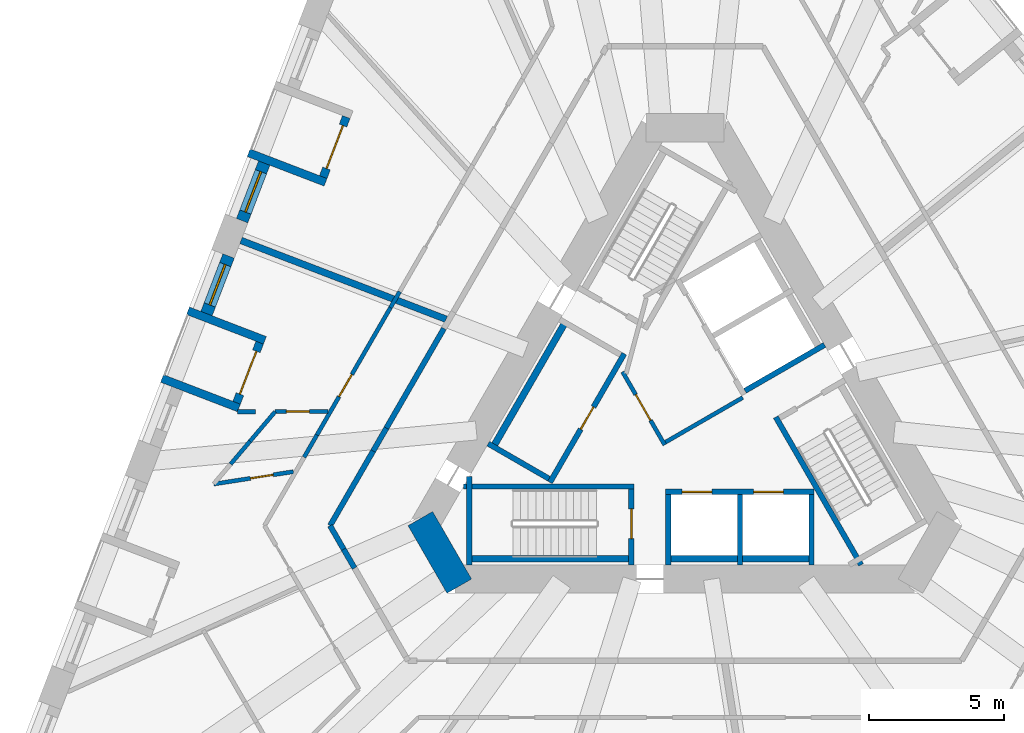
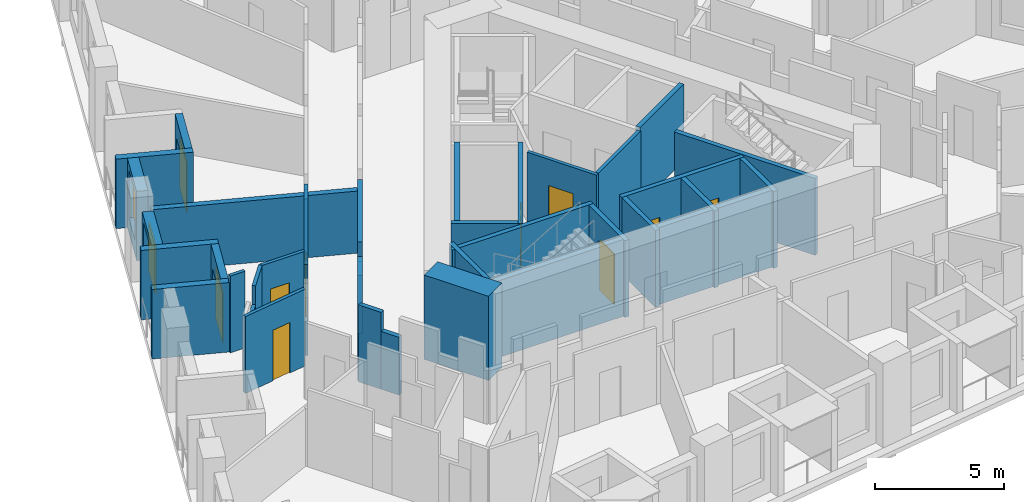
# One storey, part 4 of 14: 38 walls, 10 doors, 2 windows, 12 openings.
"""IFC4 building model written with IfcOpenShell, lengths in metres."""

from ifc_helpers import new_model, si_unit, direction, frame, frame_2d, origin, place, context, subcontext, project, spatial, rectangle, extrude, material, layer, layer_set, type_object, element, fill, save


model = new_model("IFC4")

# Units and contexts
model_context = context("Model", 3, precision=1e-05, world=origin(), true_north=direction((0.0, 1.0)))
body_context = subcontext(model_context, "Body", "Model", "MODEL_VIEW")
ifc_project = project(units=[si_unit("LENGTHUNIT", "METRE"), si_unit("AREAUNIT", "SQUARE_METRE"), si_unit("VOLUMEUNIT", "CUBIC_METRE"), si_unit("PLANEANGLEUNIT", "RADIAN"), si_unit("MASSUNIT", "GRAM", prefix="KILO")], contexts=[model_context])

# Site, building, storey
site_placement = place(None, origin())
site = spatial("IfcSite", under=ifc_project, at=site_placement, CompositionType="ELEMENT")
building_placement = place(site_placement, origin())
building = spatial("IfcBuilding", under=site, at=building_placement, Name="Tramontana Tower", CompositionType="ELEMENT")
storey_placement = place(building_placement, frame((0.0, 0.0, 59.199951171875)))
storey = spatial("IfcBuildingStorey", under=building, at=storey_placement, Name="L12", CompositionType="ELEMENT", Elevation=59.199951171875)

# Walls
ifc_material_1 = material(Name="Concrete 70 MPa", Category="concrete")
ifc_layer_1 = layer(ifc_material_1, 1.050048828125)
ifc_layer_set_1 = layer_set([ifc_layer_1], Name="Core wall 1050 70 MPa")
wall_type_1 = type_object("IfcWallType", Name="Core wall 1050 70 MPa", PredefinedType="SHEAR", material=ifc_layer_set_1)
wall_1_placement = place(storey_placement, frame((-9.793212890625, -3.987548828125, 0.0), z_axis=(0.0, 0.0, 1.0), x_axis=(0.499995765644, -0.866027848477, 0.0)))
element("IfcWall", 1, at=wall_1_placement, inside=storey, type_object=wall_type_1, Name="Core wall C2 L12", PredefinedType="SHEAR", context=body_context, shape_type="SweptSolid", body=[
    extrude(rectangle(XDim=2.88671875, YDim=1.050048828125, at=frame_2d((1.443359375, 0.0))), origin(), (0.0, 0.0, 1.0), 4.0),
])
ifc_material_2 = material(Name="Blockwork", Category="masonry")
ifc_layer_2 = layer(ifc_material_2, 0.199951171875)
ifc_layer_set_2 = layer_set([ifc_layer_2], Name="ENTRY WALL 200")
wall_type_2 = type_object("IfcWallType", Name="ENTRY WALL 200", PredefinedType="SOLIDWALL", material=ifc_layer_set_2)
wall_2_placement = place(storey_placement, frame((-12.228515625, -5.819580078125, 0.0), z_axis=(0.0, 0.0, 1.0), x_axis=(-0.499923776705, 0.866069406852, 0.0)))
element("IfcWall", 2, at=wall_2_placement, inside=storey, type_object=wall_type_2, Name="Wall v10-ew3-4", PredefinedType="SOLIDWALL", context=body_context, shape_type="SweptSolid", body=[
    extrude(rectangle(XDim=0.804931640625, YDim=0.199951171875, at=frame_2d((0.40234375, 0.0))), origin(), (0.0, 0.0, 1.0), 2.75),
])
wall_3_placement = place(storey_placement, frame((-12.630859375, -5.12255859375, 0.0), z_axis=(0.0, 0.0, 1.0), x_axis=(-0.500099969036, 0.865967678941, 0.0)))
element("IfcWall", 3, at=wall_3_placement, inside=storey, type_object=wall_type_2, Name="Wall v10-ew3-5", PredefinedType="SOLIDWALL", context=body_context, shape_type="SweptSolid", body=[
    extrude(rectangle(XDim=1.007568359375, YDim=0.199951171875, at=frame_2d((0.50390625, 0.0))), origin(), (0.0, 0.0, 1.0), 3.650146484375),
])
wall_4_placement = place(storey_placement, frame((-13.134765625, -4.25, 0.0), z_axis=(0.0, 0.0, 1.0), x_axis=(0.50003154259, 0.866007191896, 0.0)))
element("IfcWall", 4, at=wall_4_placement, inside=storey, type_object=wall_type_2, Name="Wall v10-ew4-0", PredefinedType="SOLIDWALL", context=body_context, shape_type="SweptSolid", body=[
    extrude(rectangle(XDim=3.190673828125, YDim=0.199951171875, at=frame_2d((1.59521484375, 0.0))), origin(), (0.0, 0.0, 1.0), 3.650146484375),
])
wall_5_placement = place(storey_placement, frame((-11.539306640625, -1.48681640625, 0.0), z_axis=(0.0, 0.0, 1.0), x_axis=(0.499966601515, 0.86604468555, 0.0)))
element("IfcWall", 5, at=wall_5_placement, inside=storey, type_object=wall_type_2, Name="Wall v10-ew4-1", PredefinedType="SOLIDWALL", context=body_context, shape_type="SweptSolid", body=[
    extrude(rectangle(XDim=0.98095703125, YDim=0.199951171875, at=frame_2d((0.490478515625, 0.0))), origin(), (0.0, 0.0, 1.0), 2.75),
])
wall_6_placement = place(storey_placement, frame((-11.048828125, -0.63720703125, 0.0), z_axis=(0.0, 0.0, 1.0), x_axis=(0.500000470374, 0.866025132214, 0.0)))
element("IfcWall", 6, at=wall_6_placement, inside=storey, type_object=wall_type_2, Name="Wall v10-ew4-2", PredefinedType="SOLIDWALL", context=body_context, shape_type="SweptSolid", body=[
    extrude(rectangle(XDim=4.2568359375, YDim=0.199951171875, at=frame_2d((2.12841796875, 0.0))), origin(), (0.0, 0.0, 1.0), 3.650146484375),
])

# Wall, opening, window
ifc_material_3 = material(Name="Precast concrete 60 MPa", Category="concrete")
ifc_layer_3 = layer(ifc_material_3, 0.449951171875)
ifc_layer_set_3 = layer_set([ifc_layer_3], Name="Precast concrete 60 MPa, 450 mm")
wall_type_3 = type_object("IfcWallType", Name="EW1 Stone-faced precast wall 450", PredefinedType="SOLIDWALL", material=ifc_layer_set_3)
wall_7_placement = place(storey_placement, frame((-15.572021484375, 9.1728515625, 0.0), z_axis=(0.0, 0.0, 1.0), x_axis=(-0.358355550725, -0.933585185864, 0.0)))
wall_7 = element("IfcWall", 7, at=wall_7_placement, inside=storey, type_object=wall_type_3, Name="External wall L12 face 0 bay 3", PredefinedType="SOLIDWALL", context=body_context, shape_type="SweptSolid", body=[
    extrude(rectangle(XDim=2.282958984375, YDim=0.449951171875, at=frame_2d((1.1416015625, 0.0))), origin(), (0.0, 0.0, 1.0), 3.300048828125),
])
opening_1_placement = place(wall_7_placement, frame((0.341552734375, 0.0, 0.699951171875)))
opening_1 = element("IfcOpeningElement", 8, at=opening_1_placement, cuts=wall_7, Name="Opening M1", PredefinedType="OPENING", context=body_context, shape_type="SweptSolid", body=[
    extrude(rectangle(XDim=1.60009765625, YDim=2.300048828125, at=frame_2d((0.800048828125, 1.14990234375))), frame((0.0, 0.23486328125, 0.0), z_axis=(0.0, -1.0, 0.0), x_axis=(1.0, 0.0, 0.0)), (0.0, 0.0, 1.0), 0.469970703125),
])
ifc_material_4 = material(Name="Aluminum frame, double glazing unit", Category="aluminium")
window_type = type_object("IfcWindowType", Name="M1 Window 1.6 x 2.3", PartitioningType="SINGLE_PANEL", PredefinedType="WINDOW", material=ifc_material_4)
window_1_placement = place(opening_1_placement, origin())
window_1 = element("IfcWindow", 9, at=window_1_placement, inside=storey, type_object=window_type, Name="Window M1 L12 face 0 module 9", OverallHeight=2.300048828125, OverallWidth=1.60009765625, PartitioningType="SINGLE_PANEL", PredefinedType="WINDOW", context=body_context, shape_type="SweptSolid", body=[
    extrude(rectangle(XDim=1.60009765625, YDim=2.300048828125, at=frame_2d((0.800048828125, 1.14990234375))), frame((0.0, 0.030029296875, 0.0), z_axis=(0.0, -1.0, 0.0), x_axis=(1.0, 0.0, 0.0)), (0.0, 0.0, 1.0), 0.06005859375),
])
fill(opening_1, window_1)

wall_8_placement = place(storey_placement, frame((-16.891845703125, 5.734375, 0.0), z_axis=(0.0, 0.0, 1.0), x_axis=(-0.358355550725, -0.933585185864, 0.0)))
wall_8 = element("IfcWall", 10, at=wall_8_placement, inside=storey, type_object=wall_type_3, Name="External wall L12 face 0 bay 4", PredefinedType="SOLIDWALL", context=body_context, shape_type="SweptSolid", body=[
    extrude(rectangle(XDim=2.282958984375, YDim=0.449951171875, at=frame_2d((1.1416015625, 0.0))), origin(), (0.0, 0.0, 1.0), 3.300048828125),
])
opening_2_placement = place(wall_8_placement, frame((0.341552734375, 0.0, 0.699951171875)))
opening_2 = element("IfcOpeningElement", 11, at=opening_2_placement, cuts=wall_8, Name="Opening M1", PredefinedType="OPENING", context=body_context, shape_type="SweptSolid", body=[
    extrude(rectangle(XDim=1.60009765625, YDim=2.300048828125, at=frame_2d((0.800048828125, 1.14990234375))), frame((0.0, 0.23486328125, 0.0), z_axis=(0.0, -1.0, 0.0), x_axis=(1.0, 0.0, 0.0)), (0.0, 0.0, 1.0), 0.469970703125),
])
window_2_placement = place(opening_2_placement, origin())
window_2 = element("IfcWindow", 12, at=window_2_placement, inside=storey, type_object=window_type, Name="Window M1 L12 face 0 module 10", OverallHeight=2.300048828125, OverallWidth=1.60009765625, PartitioningType="SINGLE_PANEL", PredefinedType="WINDOW", context=body_context, shape_type="SweptSolid", body=[
    extrude(rectangle(XDim=1.60009765625, YDim=2.300048828125, at=frame_2d((0.800048828125, 1.14990234375))), frame((0.0, 0.030029296875, 0.0), z_axis=(0.0, -1.0, 0.0), x_axis=(1.0, 0.0, 0.0)), (0.0, 0.0, 1.0), 0.06005859375),
])
fill(opening_2, window_2)

# Wall, opening, door
ifc_material_5 = material(Name="Precast concrete 60 MPa", Category="concrete")
ifc_layer_4 = layer(ifc_material_5, 0.300048828125)
ifc_layer_set_4 = layer_set([ifc_layer_4], Name="LW1 Stone-faced loggia wall 300")
wall_type_4 = type_object("IfcWallType", Name="LW1 Stone-faced loggia wall 300", PredefinedType="SOLIDWALL", material=ifc_layer_set_4)
wall_9_placement = place(storey_placement, frame((-12.533447265625, 10.880126953125, 0.0), z_axis=(0.0, 0.0, 1.0), x_axis=(-0.35838856932, -0.933572511046, 0.0)))
wall_9 = element("IfcWall", 13, at=wall_9_placement, inside=storey, type_object=wall_type_4, Name="Loggia wall L12 G1S0.7", PredefinedType="SOLIDWALL", context=body_context, shape_type="SweptSolid", body=[
    extrude(rectangle(XDim=2.3828125, YDim=0.300048828125, at=frame_2d((1.19140625, 0.0))), origin(), (0.0, 0.0, 1.0), 3.300048828125),
])
opening_3_placement = place(wall_9_placement, frame((0.341552734375, 0.0, 0.0)))
opening_3 = element("IfcOpeningElement", 14, at=opening_3_placement, cuts=wall_9, Name="Opening BD-1S0-07", PredefinedType="OPENING", context=body_context, shape_type="SweptSolid", body=[
    extrude(rectangle(XDim=1.699951171875, YDim=2.39990234375, at=frame_2d((0.85009765625, 1.199951171875))), frame((0.0, 0.159912109375, 0.0), z_axis=(0.0, -1.0, 0.0), x_axis=(1.0, 0.0, 0.0)), (0.0, 0.0, 1.0), 0.320068359375),
])
ifc_material_6 = material(Name="Aluminum frame, double glazing unit", Category="aluminium")
door_type_1 = type_object("IfcDoorType", Name="BD1 Sliding door 1.7 x 2.4", OperationType="SLIDING_TO_LEFT", PredefinedType="DOOR", material=ifc_material_6)
door_1_placement = place(opening_3_placement, origin())
door_1 = element("IfcDoor", 15, at=door_1_placement, inside=storey, type_object=door_type_1, Name="Loggia door L12 G1S0.7", OperationType="SLIDING_TO_LEFT", OverallHeight=2.39990234375, OverallWidth=1.699951171875, PredefinedType="DOOR", context=body_context, shape_type="SweptSolid", body=[
    extrude(rectangle(XDim=1.699951171875, YDim=2.39990234375, at=frame_2d((0.85009765625, 1.199951171875))), frame((0.0, 0.02490234375, 0.0), z_axis=(0.0, -1.0, 0.0), x_axis=(1.0, 0.0, 0.0)), (0.0, 0.0, 1.0), 0.050048828125),
])
fill(opening_3, door_1)

# Wall
wall_10_placement = place(storey_placement, frame((-16.1484375, 9.5546875, 0.0), z_axis=(0.0, 0.0, 1.0), x_axis=(0.933580593625, -0.358367514161, 0.0)))
element("IfcWall", 16, at=wall_10_placement, inside=storey, type_object=wall_type_4, Name="Loggia return L12 G1S0.7b", PredefinedType="SOLIDWALL", context=body_context, shape_type="SweptSolid", body=[
    extrude(rectangle(XDim=3.050048828125, YDim=0.300048828125, at=frame_2d((1.52490234375, 0.0))), origin(), (0.0, 0.0, 1.0), 3.300048828125),
])

# Wall, opening, door
wall_11_placement = place(storey_placement, frame((-15.740478515625, 2.525634765625, 0.0), z_axis=(0.0, 0.0, 1.0), x_axis=(-0.35829926872, -0.933606787697, 0.0)))
wall_11 = element("IfcWall", 17, at=wall_11_placement, inside=storey, type_object=wall_type_4, Name="Loggia wall L12 G1S0.10", PredefinedType="SOLIDWALL", context=body_context, shape_type="SweptSolid", body=[
    extrude(rectangle(XDim=2.3828125, YDim=0.300048828125, at=frame_2d((1.19140625, 0.0))), origin(), (0.0, 0.0, 1.0), 3.300048828125),
])
opening_4_placement = place(wall_11_placement, frame((0.341552734375, 0.0, 0.0)))
opening_4 = element("IfcOpeningElement", 18, at=opening_4_placement, cuts=wall_11, Name="Opening BD-1S0-10", PredefinedType="OPENING", context=body_context, shape_type="SweptSolid", body=[
    extrude(rectangle(XDim=1.699951171875, YDim=2.39990234375, at=frame_2d((0.85009765625, 1.199951171875))), frame((0.0, 0.159912109375, 0.0), z_axis=(0.0, -1.0, 0.0), x_axis=(1.0, 0.0, 0.0)), (0.0, 0.0, 1.0), 0.320068359375),
])
door_2_placement = place(opening_4_placement, origin())
door_2 = element("IfcDoor", 19, at=door_2_placement, inside=storey, type_object=door_type_1, Name="Loggia door L12 G1S0.10", OperationType="SLIDING_TO_LEFT", OverallHeight=2.39990234375, OverallWidth=1.699951171875, PredefinedType="DOOR", context=body_context, shape_type="SweptSolid", body=[
    extrude(rectangle(XDim=1.699951171875, YDim=2.39990234375, at=frame_2d((0.85009765625, 1.199951171875))), frame((0.0, 0.02490234375, 0.0), z_axis=(0.0, -1.0, 0.0), x_axis=(1.0, 0.0, 0.0)), (0.0, 0.0, 1.0), 0.050048828125),
])
fill(opening_4, door_2)

# Walls
for number, where, z_axis, x_axis, name in (
    (20, (-18.39404296875, 3.704833984375, 0.0), (0.0, 0.0, 1.0), (0.933580593625, -0.358367514161, 0.0), "Loggia return L12 G1S0.10a"),
    (21, (-19.35546875, 1.2001953125, 0.0), (0.0, 0.0, 1.0), (0.933580593625, -0.358367514161, 0.0), "Loggia return L12 G1S0.10b"),
):
    element("IfcWall", number, at=place(storey_placement, frame(where, z_axis=z_axis, x_axis=x_axis)), inside=storey, type_object=wall_type_4, Name=name, PredefinedType="SOLIDWALL", context=body_context, shape_type="SweptSolid", body=[
        extrude(rectangle(XDim=3.050048828125, YDim=0.300048828125, at=frame_2d((1.52490234375, 0.0))), origin(), (0.0, 0.0, 1.0), 3.300048828125),
    ])

# Wall, opening, door
ifc_material_7 = material(Name="Gypsum board partition")
ifc_layer_5 = layer(ifc_material_7, 0.14990234375)
ifc_layer_set_5 = layer_set([ifc_layer_5], Name="PARTITION 150")
wall_type_5 = type_object("IfcWallType", Name="PARTITION 150", PredefinedType="PARTITIONING", material=ifc_layer_set_5)
wall_12_placement = place(storey_placement, frame((-0.744140625, -1.260986328125, 0.0), z_axis=(0.0, 0.0, 1.0), x_axis=(-0.500004234368, 0.866022959057, 0.0)))
wall_12 = element("IfcWall", 22, at=wall_12_placement, inside=storey, type_object=wall_type_5, Name="Wall ff-front", PredefinedType="PARTITIONING", context=body_context, shape_type="SweptSolid", body=[
    extrude(rectangle(XDim=3.125, YDim=0.14990234375, at=frame_2d((1.5625, 0.0))), origin(), (0.0, 0.0, 1.0), 3.650146484375),
])
opening_5_placement = place(wall_12_placement, frame((1.050048828125, 0.0, 0.0)))
opening_5 = element("IfcOpeningElement", 23, at=opening_5_placement, cuts=wall_12, Name="Opening FD1", PredefinedType="OPENING", context=body_context, shape_type="SweptSolid", body=[
    extrude(rectangle(XDim=1.10009765625, YDim=2.39990234375, at=frame_2d((0.550048828125, 1.199951171875))), frame((0.0, 0.0849609375, 0.0), z_axis=(0.0, -1.0, 0.0), x_axis=(1.0, 0.0, 0.0)), (0.0, 0.0, 1.0), 0.169921875),
])
ifc_material_8 = material(Name="Painted timber", Category="wood")
door_type_2 = type_object("IfcDoorType", Name="DOOR ENTRY 1100", OperationType="SINGLE_SWING_LEFT", PredefinedType="DOOR", material=ifc_material_8)
door_3_placement = place(opening_5_placement, origin())
door_3 = element("IfcDoor", 24, at=door_3_placement, inside=storey, type_object=door_type_2, Name="Door FD1", OperationType="SINGLE_SWING_RIGHT", OverallHeight=2.39990234375, OverallWidth=1.10009765625, PredefinedType="DOOR", context=body_context, shape_type="SweptSolid", body=[
    extrude(rectangle(XDim=1.10009765625, YDim=2.39990234375, at=frame_2d((0.550048828125, 1.199951171875))), frame((0.0, 0.02490234375, 0.0), z_axis=(0.0, -1.0, 0.0), x_axis=(1.0, 0.0, 0.0)), (0.0, 0.0, 1.0), 0.050048828125),
])
fill(opening_5, door_3)

# Walls
wall_13_placement = place(storey_placement, frame((-0.716796875, -1.15869140625, 0.0), z_axis=(0.0, 0.0, 1.0), x_axis=(0.866008176907, 0.50002983664, 0.0)))
element("IfcWall", 25, at=wall_13_placement, inside=storey, type_object=wall_type_5, Name="Wall ff-end0", PredefinedType="PARTITIONING", context=body_context, shape_type="SweptSolid", body=[
    extrude(rectangle(XDim=3.300048828125, YDim=0.14990234375, at=frame_2d((1.64990234375, 0.0))), origin(), (0.0, 0.0, 1.0), 3.650146484375),
])
wall_14_placement = place(storey_placement, frame((-16.8154296875, -1.97021484375, 0.0), z_axis=(0.0, 0.0, 1.0), x_axis=(0.647233233989, 0.762292031193, 0.0)))
element("IfcWall", 26, at=wall_14_placement, inside=storey, type_object=wall_type_5, Name="Wall v10-pw01-1", PredefinedType="PARTITIONING", context=body_context, shape_type="SweptSolid", body=[
    extrude(rectangle(XDim=1.10986328125, YDim=0.14990234375, at=frame_2d((0.554931640625, 0.0))), origin(), (0.0, 0.0, 1.0), 2.75),
])
wall_15_placement = place(storey_placement, frame((-16.09716796875, -1.124267578125, 0.0), z_axis=(0.0, 0.0, 1.0), x_axis=(0.647268122874, 0.762262406991, 0.0)))
element("IfcWall", 27, at=wall_15_placement, inside=storey, type_object=wall_type_5, Name="Wall v10-pw01-2", PredefinedType="PARTITIONING", context=body_context, shape_type="SweptSolid", body=[
    extrude(rectangle(XDim=1.435302734375, YDim=0.14990234375, at=frame_2d((0.7177734375, 0.0))), origin(), (0.0, 0.0, 1.0), 3.650146484375),
])

# Wall, opening, door
wall_16_placement = place(storey_placement, frame((-17.434814453125, -2.707763671875, 0.0), z_axis=(0.0, 0.0, 1.0), x_axis=(0.988146894604, 0.153511285203, 0.0)))
wall_16 = element("IfcWall", 28, at=wall_16_placement, inside=storey, type_object=wall_type_5, Name="Wall v10-pw02", PredefinedType="PARTITIONING", context=body_context, shape_type="SweptSolid", body=[
    extrude(rectangle(XDim=2.977294921875, YDim=0.14990234375, at=frame_2d((1.48876953125, 0.0))), origin(), (0.0, 0.0, 1.0), 3.650146484375),
])
opening_6_placement = place(wall_16_placement, frame((1.3701171875, 0.0, 0.0)))
opening_6 = element("IfcOpeningElement", 29, at=opening_6_placement, cuts=wall_16, Name="Opening B1A-17", PredefinedType="OPENING", context=body_context, shape_type="SweptSolid", body=[
    extrude(rectangle(XDim=0.85009765625, YDim=2.39990234375, at=frame_2d((0.425048828125, 1.199951171875))), frame((0.0, 0.0849609375, 0.0), z_axis=(0.0, -1.0, 0.0), x_axis=(1.0, 0.0, 0.0)), (0.0, 0.0, 1.0), 0.169921875),
])
ifc_material_9 = material(Name="Painted timber", Category="wood")
door_type_3 = type_object("IfcDoorType", Name="DOOR BATH 850", OperationType="SINGLE_SWING_LEFT", PredefinedType="DOOR", material=ifc_material_9)
door_4_placement = place(opening_6_placement, origin())
door_4 = element("IfcDoor", 30, at=door_4_placement, inside=storey, type_object=door_type_3, Name="Door B1A-17", OperationType="SINGLE_SWING_LEFT", OverallHeight=2.39990234375, OverallWidth=0.85009765625, PredefinedType="DOOR", context=body_context, shape_type="SweptSolid", body=[
    extrude(rectangle(XDim=0.85009765625, YDim=2.39990234375, at=frame_2d((0.425048828125, 1.199951171875))), frame((0.0, 0.02490234375, 0.0), z_axis=(0.0, -1.0, 0.0), x_axis=(1.0, 0.0, 0.0)), (0.0, 0.0, 1.0), 0.050048828125),
])
fill(opening_6, door_4)

# Wall
wall_17_placement = place(storey_placement, frame((-16.561767578125, -0.032958984375, 0.0), z_axis=(0.0, 0.0, 1.0), x_axis=(0.999997583071, 0.002198602235, 0.0)))
element("IfcWall", 31, at=wall_17_placement, inside=storey, type_object=wall_type_5, Name="Wall v10-pw03", PredefinedType="PARTITIONING", context=body_context, shape_type="SweptSolid", body=[
    extrude(rectangle(XDim=0.666259765625, YDim=0.14990234375, at=frame_2d((0.3330078125, 0.0))), origin(), (0.0, 0.0, 1.0), 3.650146484375),
])

# Wall, opening, door
wall_18_placement = place(storey_placement, frame((-13.207763671875, -0.0263671875, 0.0), z_axis=(0.0, 0.0, 1.0), x_axis=(-0.999998014427, -0.00199277223, 0.0)))
wall_18 = element("IfcWall", 32, at=wall_18_placement, inside=storey, type_object=wall_type_5, Name="Wall v10-pw04", PredefinedType="PARTITIONING", context=body_context, shape_type="SweptSolid", body=[
    extrude(rectangle(XDim=1.960205078125, YDim=0.14990234375, at=frame_2d((0.97998046875, 0.0))), origin(), (0.0, 0.0, 1.0), 3.650146484375),
])
opening_7_placement = place(wall_18_placement, frame((0.6904296875, 0.0, 0.0)))
opening_7 = element("IfcOpeningElement", 33, at=opening_7_placement, cuts=wall_18, Name="Opening B1A-18", PredefinedType="OPENING", context=body_context, shape_type="SweptSolid", body=[
    extrude(rectangle(XDim=0.85009765625, YDim=2.39990234375, at=frame_2d((0.425048828125, 1.199951171875))), frame((0.0, 0.0849609375, 0.0), z_axis=(0.0, -1.0, 0.0), x_axis=(1.0, 0.0, 0.0)), (0.0, 0.0, 1.0), 0.169921875),
])
door_5_placement = place(opening_7_placement, origin())
door_5 = element("IfcDoor", 34, at=door_5_placement, inside=storey, type_object=door_type_3, Name="Door B1A-18", OperationType="SINGLE_SWING_RIGHT", OverallHeight=2.39990234375, OverallWidth=0.85009765625, PredefinedType="DOOR", context=body_context, shape_type="SweptSolid", body=[
    extrude(rectangle(XDim=0.85009765625, YDim=2.39990234375, at=frame_2d((0.425048828125, 1.199951171875))), frame((0.0, 0.02490234375, 0.0), z_axis=(0.0, -1.0, 0.0), x_axis=(1.0, 0.0, 0.0)), (0.0, 0.0, 1.0), 0.050048828125),
])
fill(opening_7, door_5)

# Wall
wall_19_placement = place(storey_placement, frame((-10.557373046875, 4.4140625, 0.0), z_axis=(0.0, 0.0, 1.0), x_axis=(-0.500134748329, -0.865947592822, 0.0)))
element("IfcWall", 35, at=wall_19_placement, inside=storey, type_object=wall_type_5, Name="Wall v10-pw16-5", PredefinedType="PARTITIONING", context=body_context, shape_type="SweptSolid", body=[
    extrude(rectangle(XDim=0.683349609375, YDim=0.14990234375, at=frame_2d((0.341796875, 0.0))), origin(), (0.0, 0.0, 1.0), 2.949951171875),
])

# Wall, opening, door
wall_20_placement = place(storey_placement, frame((-13.62060546875, -0.8916015625, 0.0), z_axis=(0.0, 0.0, 1.0), x_axis=(0.499983886315, 0.866034706825, 0.0)))
wall_20 = element("IfcWall", 36, at=wall_20_placement, inside=storey, type_object=wall_type_5, Name="Wall v10-pw16-6", PredefinedType="PARTITIONING", context=body_context, shape_type="SweptSolid", body=[
    extrude(rectangle(XDim=5.443115234375, YDim=0.14990234375, at=frame_2d((2.7216796875, 0.0))), origin(), (0.0, 0.0, 1.0), 3.650146484375),
])
opening_8_placement = place(wall_20_placement, frame((1.639404296875, 0.0, 0.0)))
opening_8 = element("IfcOpeningElement", 37, at=opening_8_placement, cuts=wall_20, Name="Opening B1A-14", PredefinedType="OPENING", context=body_context, shape_type="SweptSolid", body=[
    extrude(rectangle(XDim=0.949951171875, YDim=2.39990234375, at=frame_2d((0.47509765625, 1.199951171875))), frame((0.0, 0.0849609375, 0.0), z_axis=(0.0, -1.0, 0.0), x_axis=(1.0, 0.0, 0.0)), (0.0, 0.0, 1.0), 0.169921875),
])
ifc_material_10 = material(Name="Painted timber", Category="wood")
door_type_4 = type_object("IfcDoorType", Name="DOOR ROOM 950", OperationType="SINGLE_SWING_LEFT", PredefinedType="DOOR", material=ifc_material_10)
door_6_placement = place(opening_8_placement, origin())
door_6 = element("IfcDoor", 38, at=door_6_placement, inside=storey, type_object=door_type_4, Name="Door B1A-14", OperationType="SINGLE_SWING_RIGHT", OverallHeight=2.39990234375, OverallWidth=0.949951171875, PredefinedType="DOOR", context=body_context, shape_type="SweptSolid", body=[
    extrude(rectangle(XDim=0.949951171875, YDim=2.39990234375, at=frame_2d((0.47509765625, 1.199951171875))), frame((0.0, 0.02490234375, 0.0), z_axis=(0.0, -1.0, 0.0), x_axis=(1.0, 0.0, 0.0)), (0.0, 0.0, 1.0), 0.050048828125),
])
fill(opening_8, door_6)

# Walls
wall_21_placement = place(storey_placement, frame((-13.62060546875, -0.8916015625, 0.0), z_axis=(0.0, 0.0, 1.0), x_axis=(-0.499952260202, -0.866052964615, 0.0)))
element("IfcWall", 39, at=wall_21_placement, inside=storey, type_object=wall_type_5, Name="Wall v10-pw16-7", PredefinedType="PARTITIONING", context=body_context, shape_type="SweptSolid", body=[
    extrude(rectangle(XDim=0.9501953125, YDim=0.14990234375, at=frame_2d((0.47509765625, 0.0))), origin(), (0.0, 0.0, 1.0), 2.75),
])
ifc_material_11 = material(Name="Blockwork", Category="masonry")
ifc_layer_6 = layer(ifc_material_11, 0.25)
ifc_layer_set_6 = layer_set([ifc_layer_6], Name="PARTY WALL 250")
wall_type_6 = type_object("IfcWallType", Name="PARTY WALL 250", PredefinedType="SOLIDWALL", material=ifc_layer_set_6)
wall_22_placement = place(storey_placement, frame((-8.837890625, 3.392578125, 0.0), z_axis=(0.0, 0.0, 1.0), x_axis=(-0.933575960916, 0.358379582566, 0.0)))
element("IfcWall", 40, at=wall_22_placement, inside=storey, type_object=wall_type_6, Name="Wall v10-pw10-0", PredefinedType="SOLIDWALL", context=body_context, shape_type="SweptSolid", body=[
    extrude(rectangle(XDim=8.13330078125, YDim=0.25, at=frame_2d((4.066650390625, 0.0))), origin(), (0.0, 0.0, 1.0), 2.949951171875),
])
ifc_material_12 = material(Name="Concrete 70 MPa", Category="concrete")
ifc_layer_7 = layer(ifc_material_12, 0.25)
ifc_layer_set_7 = layer_set([ifc_layer_7], Name="Concrete 70 MPa, 250 mm")
wall_type_7 = type_object("IfcWallType", Name="RC SHAFT BACK WALL 250", PredefinedType="SOLIDWALL", material=ifc_layer_set_7)
wall_23_placement = place(storey_placement, frame((-8.080078125, -5.47509765625, 0.0), z_axis=(0.0, 0.0, 1.0), x_axis=(1.0, 0.0, 0.0)))
element("IfcWall", 41, at=wall_23_placement, inside=storey, type_object=wall_type_7, Name="Wall st2-back", PredefinedType="SOLIDWALL", context=body_context, shape_type="SweptSolid", body=[
    extrude(rectangle(XDim=6.2001953125, YDim=0.25, at=frame_2d((3.10009765625, 0.0))), origin(), (0.0, 0.0, 1.0), 3.650146484375),
])
wall_24_placement = place(storey_placement, frame((-4.386474609375, 3.352294921875, 0.0), z_axis=(0.0, 0.0, 1.0), x_axis=(-0.500015767406, -0.866016300277, 0.0)))
element("IfcWall", 42, at=wall_24_placement, inside=storey, type_object=wall_type_7, Name="Wall row0-back", PredefinedType="SOLIDWALL", context=body_context, shape_type="SweptSolid", body=[
    extrude(rectangle(XDim=5.499755859375, YDim=0.25, at=frame_2d((2.75, 0.0))), origin(), (0.0, 0.0, 1.0), 3.650146484375),
])
wall_25_placement = place(storey_placement, frame((-0.7099609375, -5.47509765625, 0.0), z_axis=(0.0, 0.0, 1.0), x_axis=(1.0, 0.0, 0.0)))
element("IfcWall", 43, at=wall_25_placement, inside=storey, type_object=wall_type_7, Name="Wall row1-back", PredefinedType="SOLIDWALL", context=body_context, shape_type="SweptSolid", body=[
    extrude(rectangle(XDim=5.5, YDim=0.25, at=frame_2d((2.75, 0.0))), origin(), (0.0, 0.0, 1.0), 3.650146484375),
])
ifc_material_13 = material(Name="Concrete 70 MPa", Category="concrete")
ifc_layer_8 = layer(ifc_material_13, 0.199951171875)
ifc_layer_set_8 = layer_set([ifc_layer_8], Name="Concrete 70 MPa, 200 mm")
wall_type_8 = type_object("IfcWallType", Name="RC STAIR AND SHAFT WALL 200", PredefinedType="SOLIDWALL", material=ifc_layer_set_8)
wall_26_placement = place(storey_placement, frame((-8.198486328125, -2.800048828125, 0.0), z_axis=(0.0, 0.0, 1.0), x_axis=(1.0, 0.0, 0.0)))
element("IfcWall", 44, at=wall_26_placement, inside=storey, type_object=wall_type_8, Name="Wall st2-front", PredefinedType="SOLIDWALL", context=body_context, shape_type="SweptSolid", body=[
    extrude(rectangle(XDim=6.318603515625, YDim=0.199951171875, at=frame_2d((3.1591796875, 0.0))), origin(), (0.0, 0.0, 1.0), 3.650146484375),
])
wall_27_placement = place(storey_placement, frame((-7.97998046875, -2.421875, 0.0), z_axis=(0.0, 0.0, 1.0), x_axis=(0.0, -1.0, 0.0)))
element("IfcWall", 45, at=wall_27_placement, inside=storey, type_object=wall_type_8, Name="Wall st2-far", PredefinedType="SOLIDWALL", context=body_context, shape_type="SweptSolid", body=[
    extrude(rectangle(XDim=3.278076171875, YDim=0.199951171875, at=frame_2d((1.63916015625, 0.0))), origin(), (0.0, 0.0, 1.0), 3.650146484375),
])

# Wall, opening, door
wall_28_placement = place(storey_placement, frame((-1.97998046875, -2.89990234375, 0.0), z_axis=(0.0, 0.0, 1.0), x_axis=(0.0, -1.0, 0.0)))
wall_28 = element("IfcWall", 46, at=wall_28_placement, inside=storey, type_object=wall_type_8, Name="Wall st2-near", PredefinedType="SOLIDWALL", context=body_context, shape_type="SweptSolid", body=[
    extrude(rectangle(XDim=2.800048828125, YDim=0.199951171875, at=frame_2d((1.39990234375, 0.0))), origin(), (0.0, 0.0, 1.0), 3.650146484375),
])
opening_9_placement = place(wall_28_placement, frame((0.72509765625, 0.0, 0.0)))
opening_9 = element("IfcOpeningElement", 47, at=opening_9_placement, cuts=wall_28, Name="Opening SD2", PredefinedType="OPENING", context=body_context, shape_type="SweptSolid", body=[
    extrude(rectangle(XDim=1.10009765625, YDim=2.39990234375, at=frame_2d((0.550048828125, 1.199951171875))), frame((0.0, 0.10986328125, 0.0), z_axis=(0.0, -1.0, 0.0), x_axis=(1.0, 0.0, 0.0)), (0.0, 0.0, 1.0), 0.219970703125),
])
ifc_material_14 = material(Name="Painted steel", Category="steel")
door_type_5 = type_object("IfcDoorType", Name="STAIR DOOR 1100", OperationType="SINGLE_SWING_LEFT", PredefinedType="DOOR", material=ifc_material_14)
door_7_placement = place(opening_9_placement, origin())
door_7 = element("IfcDoor", 48, at=door_7_placement, inside=storey, type_object=door_type_5, Name="Door SD2", OperationType="SINGLE_SWING_LEFT", OverallHeight=2.39990234375, OverallWidth=1.10009765625, PredefinedType="DOOR", context=body_context, shape_type="SweptSolid", body=[
    extrude(rectangle(XDim=1.10009765625, YDim=2.39990234375, at=frame_2d((0.550048828125, 1.199951171875))), frame((0.0, 0.02490234375, 0.0), z_axis=(0.0, -1.0, 0.0), x_axis=(1.0, 0.0, 0.0)), (0.0, 0.0, 1.0), 0.050048828125),
])
fill(opening_9, door_7)

# Wall
wall_29_placement = place(storey_placement, frame((6.524169921875, -5.699951171875, 0.0), z_axis=(0.0, 0.0, 1.0), x_axis=(-0.499995607161, 0.866027939976, 0.0)))
element("IfcWall", 49, at=wall_29_placement, inside=storey, type_object=wall_type_8, Name="Wall st3-front", PredefinedType="SOLIDWALL", context=body_context, shape_type="SweptSolid", body=[
    extrude(rectangle(XDim=6.318359375, YDim=0.199951171875, at=frame_2d((3.1591796875, 0.0))), origin(), (0.0, 0.0, 1.0), 3.650146484375),
])

# Wall, opening, door
wall_30_placement = place(storey_placement, frame((-4.9931640625, -2.648193359375, 0.0), z_axis=(0.0, 0.0, 1.0), x_axis=(0.499996545922, 0.866027397988, 0.0)))
wall_30 = element("IfcWall", 50, at=wall_30_placement, inside=storey, type_object=wall_type_8, Name="Wall row0-front", PredefinedType="SOLIDWALL", context=body_context, shape_type="SweptSolid", body=[
    extrude(rectangle(XDim=5.5, YDim=0.199951171875, at=frame_2d((2.75, 0.0))), origin(), (0.0, 0.0, 1.0), 3.650146484375),
])
opening_10_placement = place(wall_30_placement, frame((2.27490234375, 0.0, 0.0)))
opening_10 = element("IfcOpeningElement", 51, at=opening_10_placement, cuts=wall_30, Name="Opening RD-0", PredefinedType="OPENING", context=body_context, shape_type="SweptSolid", body=[
    extrude(rectangle(XDim=0.949951171875, YDim=2.39990234375, at=frame_2d((0.47509765625, 1.199951171875))), frame((0.0, 0.10986328125, 0.0), z_axis=(0.0, -1.0, 0.0), x_axis=(1.0, 0.0, 0.0)), (0.0, 0.0, 1.0), 0.219970703125),
])
door_8_placement = place(opening_10_placement, origin())
door_8 = element("IfcDoor", 52, at=door_8_placement, inside=storey, type_object=door_type_4, Name="Door RD-0", OperationType="SINGLE_SWING_LEFT", OverallHeight=2.39990234375, OverallWidth=0.949951171875, PredefinedType="DOOR", context=body_context, shape_type="SweptSolid", body=[
    extrude(rectangle(XDim=0.949951171875, YDim=2.39990234375, at=frame_2d((0.47509765625, 1.199951171875))), frame((0.0, 0.02490234375, 0.0), z_axis=(0.0, -1.0, 0.0), x_axis=(1.0, 0.0, 0.0)), (0.0, 0.0, 1.0), 0.050048828125),
])
fill(opening_10, door_8)

# Wall
wall_31_placement = place(storey_placement, frame((-5.02978515625, -2.51171875, 0.0), z_axis=(0.0, 0.0, 1.0), x_axis=(-0.865997922154, 0.500047596559, 0.0)))
element("IfcWall", 53, at=wall_31_placement, inside=storey, type_object=wall_type_8, Name="Wall row0-side2", PredefinedType="SOLIDWALL", context=body_context, shape_type="SweptSolid", body=[
    extrude(rectangle(XDim=2.599853515625, YDim=0.199951171875, at=frame_2d((1.2998046875, 0.0))), origin(), (0.0, 0.0, 1.0), 3.650146484375),
])

# Wall, openings, doors
wall_32_placement = place(storey_placement, frame((-0.7099609375, -3.0, 0.0), z_axis=(0.0, 0.0, 1.0), x_axis=(1.0, 0.0, 0.0)))
wall_32 = element("IfcWall", 54, at=wall_32_placement, inside=storey, type_object=wall_type_8, Name="Wall row1-front", PredefinedType="SOLIDWALL", context=body_context, shape_type="SweptSolid", body=[
    extrude(rectangle(XDim=5.5, YDim=0.199951171875, at=frame_2d((2.75, 0.0))), origin(), (0.0, 0.0, 1.0), 3.650146484375),
])
opening_11_placement = place(wall_32_placement, frame((0.610107421875, 0.0, 0.0)))
opening_11 = element("IfcOpeningElement", 55, at=opening_11_placement, cuts=wall_32, Name="Opening LD-S1", PredefinedType="OPENING", context=body_context, shape_type="SweptSolid", body=[
    extrude(rectangle(XDim=1.10009765625, YDim=2.10009765625, at=frame_2d((0.550048828125, 1.050048828125))), frame((0.0, 0.10986328125, 0.0), z_axis=(0.0, -1.0, 0.0), x_axis=(1.0, 0.0, 0.0)), (0.0, 0.0, 1.0), 0.219970703125),
])
opening_12_placement = place(wall_32_placement, frame((3.260009765625, 0.0, 0.0)))
opening_12 = element("IfcOpeningElement", 56, at=opening_12_placement, cuts=wall_32, Name="Opening LD-S2", PredefinedType="OPENING", context=body_context, shape_type="SweptSolid", body=[
    extrude(rectangle(XDim=1.10009765625, YDim=2.10009765625, at=frame_2d((0.550048828125, 1.050048828125))), frame((0.0, 0.10986328125, 0.0), z_axis=(0.0, -1.0, 0.0), x_axis=(1.0, 0.0, 0.0)), (0.0, 0.0, 1.0), 0.219970703125),
])
ifc_material_15 = material(Name="Brushed steel", Category="steel")
door_type_6 = type_object("IfcDoorType", Name="LANDING DOOR 1100", OperationType="SINGLE_SWING_LEFT", PredefinedType="DOOR", material=ifc_material_15)
door_9_placement = place(opening_11_placement, origin())
door_9 = element("IfcDoor", 57, at=door_9_placement, inside=storey, type_object=door_type_6, Name="Door LD-S1", OperationType="SLIDING_TO_RIGHT", OverallHeight=2.10009765625, OverallWidth=1.10009765625, PredefinedType="DOOR", context=body_context, shape_type="SweptSolid", body=[
    extrude(rectangle(XDim=1.10009765625, YDim=2.10009765625, at=frame_2d((0.550048828125, 1.050048828125))), frame((0.0, 0.02490234375, 0.0), z_axis=(0.0, -1.0, 0.0), x_axis=(1.0, 0.0, 0.0)), (0.0, 0.0, 1.0), 0.050048828125),
])
fill(opening_11, door_9)
door_10_placement = place(opening_12_placement, origin())
door_10 = element("IfcDoor", 58, at=door_10_placement, inside=storey, type_object=door_type_6, Name="Door LD-S2", OperationType="SLIDING_TO_LEFT", OverallHeight=2.10009765625, OverallWidth=1.10009765625, PredefinedType="DOOR", context=body_context, shape_type="SweptSolid", body=[
    extrude(rectangle(XDim=1.10009765625, YDim=2.10009765625, at=frame_2d((0.550048828125, 1.050048828125))), frame((0.0, 0.02490234375, 0.0), z_axis=(0.0, -1.0, 0.0), x_axis=(1.0, 0.0, 0.0)), (0.0, 0.0, 1.0), 0.050048828125),
])
fill(opening_12, door_10)

# Walls
for number, where, z_axis, x_axis, name in (
    (59, (-0.610107421875, -3.10009765625, 0.0), (0.0, 0.0, 1.0), (0.0, -1.0, 0.0), "Wall row1-side0"),
    (60, (2.0400390625, -3.10009765625, 0.0), (0.0, 0.0, 1.0), (0.0, -1.0, 0.0), "Wall row1-side1"),
    (61, (4.68994140625, -3.10009765625, 0.0), (0.0, 0.0, 1.0), (0.0, -1.0, 0.0), "Wall row1-side2"),
):
    element("IfcWall", number, at=place(storey_placement, frame(where, z_axis=z_axis, x_axis=x_axis)), inside=storey, type_object=wall_type_8, Name=name, PredefinedType="SOLIDWALL", context=body_context, shape_type="SweptSolid", body=[
        extrude(rectangle(XDim=2.599853515625, YDim=0.199951171875, at=frame_2d((1.2998046875, 0.0))), origin(), (0.0, 0.0, 1.0), 3.650146484375),
    ])
wall_33_placement = place(storey_placement, frame((2.226806640625, 0.742919921875, 0.0), z_axis=(0.0, 0.0, 1.0), x_axis=(0.866038511948, 0.499977295307, 0.0)))
element("IfcWall", 62, at=wall_33_placement, inside=storey, type_object=wall_type_8, Name="Wall row2-side0", PredefinedType="SOLIDWALL", context=body_context, shape_type="SweptSolid", body=[
    extrude(rectangle(XDim=3.400146484375, YDim=0.199951171875, at=frame_2d((1.7001953125, 0.0))), origin(), (0.0, 0.0, 1.0), 3.650146484375),
])

save(model, "model.ifc")
